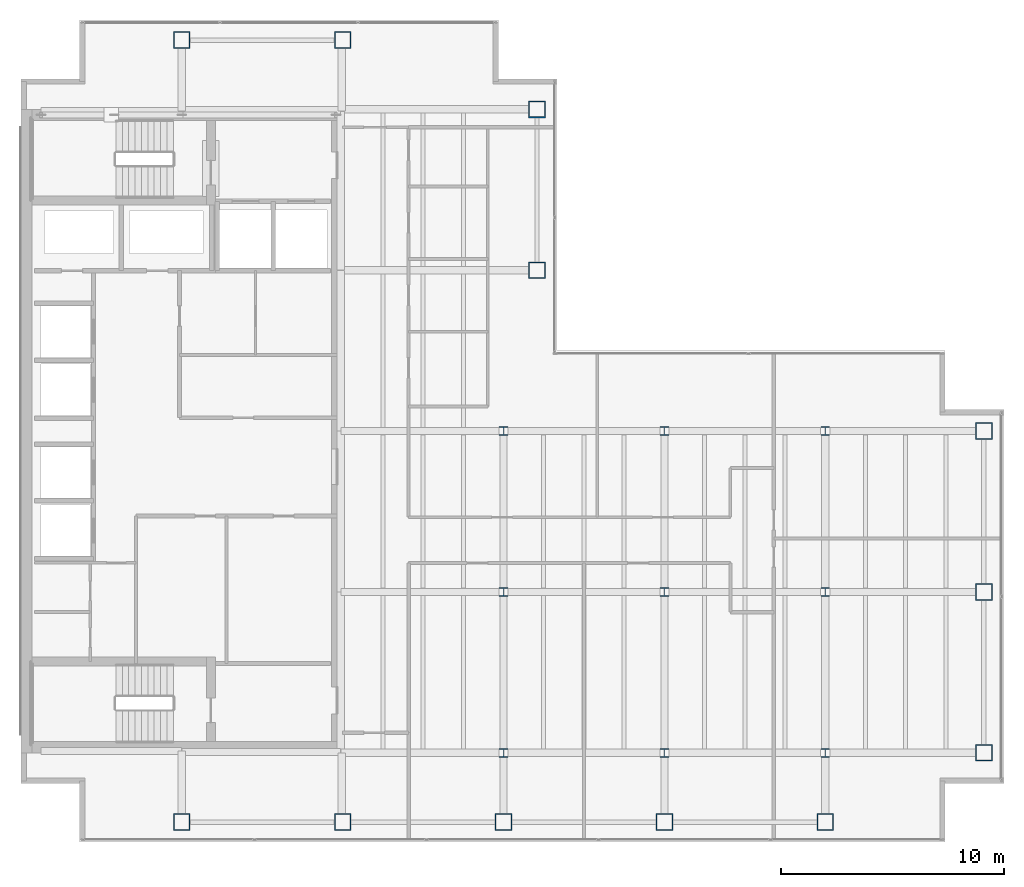
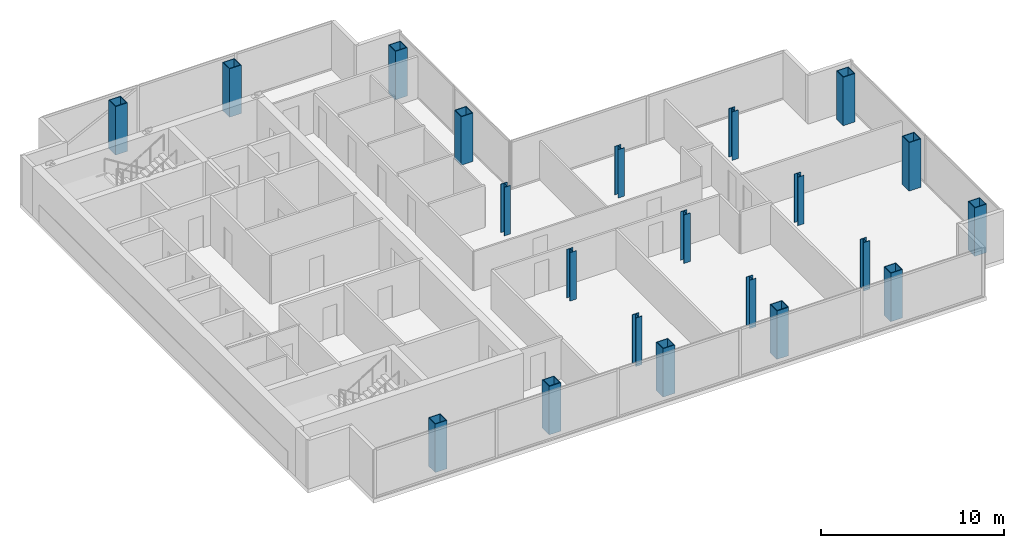
# One storey, part 1 of 23: 21 columns.
"""IFC4 building model written with IfcOpenShell, lengths in metres."""

from ifc_helpers import new_model, si_unit, direction, frame, origin, origin_2d, place, context, subcontext, project, spatial, hollow_rectangle, i_section, extrude, material, material_profile, profile_set, type_object, element, save


model = new_model("IFC4")

# Units and contexts
model_context = context("Model", 3, precision=1e-05, world=origin(), true_north=direction((0.0, 1.0)))
body_context = subcontext(model_context, "Body", "Model", "MODEL_VIEW")
ifc_project = project(units=[si_unit("LENGTHUNIT", "METRE"), si_unit("AREAUNIT", "SQUARE_METRE"), si_unit("VOLUMEUNIT", "CUBIC_METRE"), si_unit("PLANEANGLEUNIT", "RADIAN"), si_unit("MASSUNIT", "GRAM", prefix="KILO")], contexts=[model_context])

# Site, building, storey
site_placement = place(None, origin())
site = spatial("IfcSite", under=ifc_project, at=site_placement, CompositionType="ELEMENT")
building_placement = place(site_placement, origin())
building = spatial("IfcBuilding", under=site, at=building_placement, Name="Cobrela Telecom Tower", CompositionType="ELEMENT")
storey_placement = place(building_placement, frame((0.0, 0.0, 215.25)))
storey = spatial("IfcBuildingStorey", under=building, at=storey_placement, Name="L55", CompositionType="ELEMENT", Elevation=215.25)

# Columns
ifc_material_1 = material(Name="Steel ASTM A992 Grade 50", Category="steel")
ifc_material_profile_1 = material_profile(ifc_material_1, i_section(OverallWidth=0.39892578125, OverallDepth=0.39404296875, WebThickness=0.022705078125, FlangeThickness=0.03662109375, FilletRadius=0.01806640625, at=origin_2d()), Name="W14X193")
ifc_profile_set_1 = profile_set([ifc_material_profile_1], Name="Steel ASTM A992 Grade 50")
column_type_1 = type_object("IfcColumnType", Name="COL-INT-06", PredefinedType="COLUMN", material=ifc_profile_set_1)
for number, where, z_axis, x_axis, name in (
    (1, (21.60009765625, 7.199951171875, 0.0), (0.0, 0.0, 1.0), (1.0, 0.0, 0.0), "L55 Interior Column 06"),
    (2, (21.60009765625, 14.39990234375, 0.0), (0.0, 0.0, 1.0), (1.0, 0.0, 0.0), "L55 Interior Column 07"),
    (3, (21.60009765625, 21.60009765625, 0.0), (0.0, 0.0, 1.0), (1.0, 0.0, 0.0), "L55 Interior Column 08"),
    (4, (28.800048828125, 7.199951171875, 0.0), (0.0, 0.0, 1.0), (1.0, 0.0, 0.0), "L55 Interior Column 12"),
    (5, (28.800048828125, 14.39990234375, 0.0), (0.0, 0.0, 1.0), (1.0, 0.0, 0.0), "L55 Interior Column 13"),
    (6, (28.800048828125, 21.60009765625, 0.0), (0.0, 0.0, 1.0), (1.0, 0.0, 0.0), "L55 Interior Column 14"),
    (7, (36.0, 7.199951171875, 0.0), (0.0, 0.0, 1.0), (1.0, 0.0, 0.0), "L55 Interior Column 16"),
    (8, (36.0, 14.39990234375, 0.0), (0.0, 0.0, 1.0), (1.0, 0.0, 0.0), "L55 Interior Column 17"),
    (9, (36.0, 21.60009765625, 0.0), (0.0, 0.0, 1.0), (1.0, 0.0, 0.0), "L55 Interior Column 18"),
):
    element("IfcColumn", number, at=place(storey_placement, frame(where, z_axis=z_axis, x_axis=x_axis)), inside=storey, type_object=column_type_1, Name=name, PredefinedType="COLUMN", context=body_context, shape_type="SweptSolid", body=[
        extrude(i_section(OverallWidth=0.39892578125, OverallDepth=0.39404296875, WebThickness=0.022705078125, FlangeThickness=0.03662109375, FilletRadius=0.01806640625, at=origin_2d()), origin(), (0.0, 0.0, 1.0), 3.239990234375),
    ])
ifc_material_2 = material(Name="Steel ASTM A572 Grade 50", Category="steel")
ifc_material_profile_2 = material_profile(ifc_material_2, hollow_rectangle(XDim=0.75, YDim=0.75, WallThickness=0.044921875, at=origin_2d()), Name="BOX 750x750x45")
ifc_profile_set_2 = profile_set([ifc_material_profile_2], Name="Steel ASTM A572 Grade 50")
column_type_2 = type_object("IfcColumnType", Name="COL-MEGA-08", PredefinedType="COLUMN", material=ifc_profile_set_2)
for number, where, z_axis, x_axis, name in (
    (10, (7.199951171875, 4.10009765625, 0.0), (0.0, 0.0, 1.0), (1.0, 0.0, 0.0), "L55 Perimeter Mega-Column 01"),
    (11, (7.199951171875, 39.10009765625, 0.0), (0.0, 0.0, 1.0), (1.0, 0.0, 0.0), "L55 Perimeter Mega-Column 02"),
    (12, (14.39990234375, 4.10009765625, 0.0), (0.0, 0.0, 1.0), (1.0, 0.0, 0.0), "L55 Perimeter Mega-Column 03"),
    (13, (14.39990234375, 39.10009765625, 0.0), (0.0, 0.0, 1.0), (1.0, 0.0, 0.0), "L55 Perimeter Mega-Column 04"),
    (14, (21.60009765625, 4.10009765625, 0.0), (0.0, 0.0, 1.0), (1.0, 0.0, 0.0), "L55 Perimeter Mega-Column 05"),
    (15, (23.10009765625, 28.800048828125, 0.0), (0.0, 0.0, 1.0), (1.0, 0.0, 0.0), "L55 Perimeter Mega-Column 09"),
    (16, (23.10009765625, 36.0, 0.0), (0.0, 0.0, 1.0), (1.0, 0.0, 0.0), "L55 Perimeter Mega-Column 10"),
    (17, (28.800048828125, 4.10009765625, 0.0), (0.0, 0.0, 1.0), (1.0, 0.0, 0.0), "L55 Perimeter Mega-Column 11"),
    (18, (36.0, 4.10009765625, 0.0), (0.0, 0.0, 1.0), (1.0, 0.0, 0.0), "L55 Perimeter Mega-Column 15"),
    (19, (43.10009765625, 7.199951171875, 0.0), (0.0, 0.0, 1.0), (1.0, 0.0, 0.0), "L55 Perimeter Mega-Column 19"),
    (20, (43.10009765625, 14.39990234375, 0.0), (0.0, 0.0, 1.0), (1.0, 0.0, 0.0), "L55 Perimeter Mega-Column 20"),
    (21, (43.10009765625, 21.60009765625, 0.0), (0.0, 0.0, 1.0), (1.0, 0.0, 0.0), "L55 Perimeter Mega-Column 21"),
):
    element("IfcColumn", number, at=place(storey_placement, frame(where, z_axis=z_axis, x_axis=x_axis)), inside=storey, type_object=column_type_2, Name=name, PredefinedType="COLUMN", context=body_context, shape_type="SweptSolid", body=[
        extrude(hollow_rectangle(XDim=0.75, YDim=0.75, WallThickness=0.044921875, at=origin_2d()), origin(), (0.0, 0.0, 1.0), 3.239990234375),
    ])

save(model, "model.ifc")
